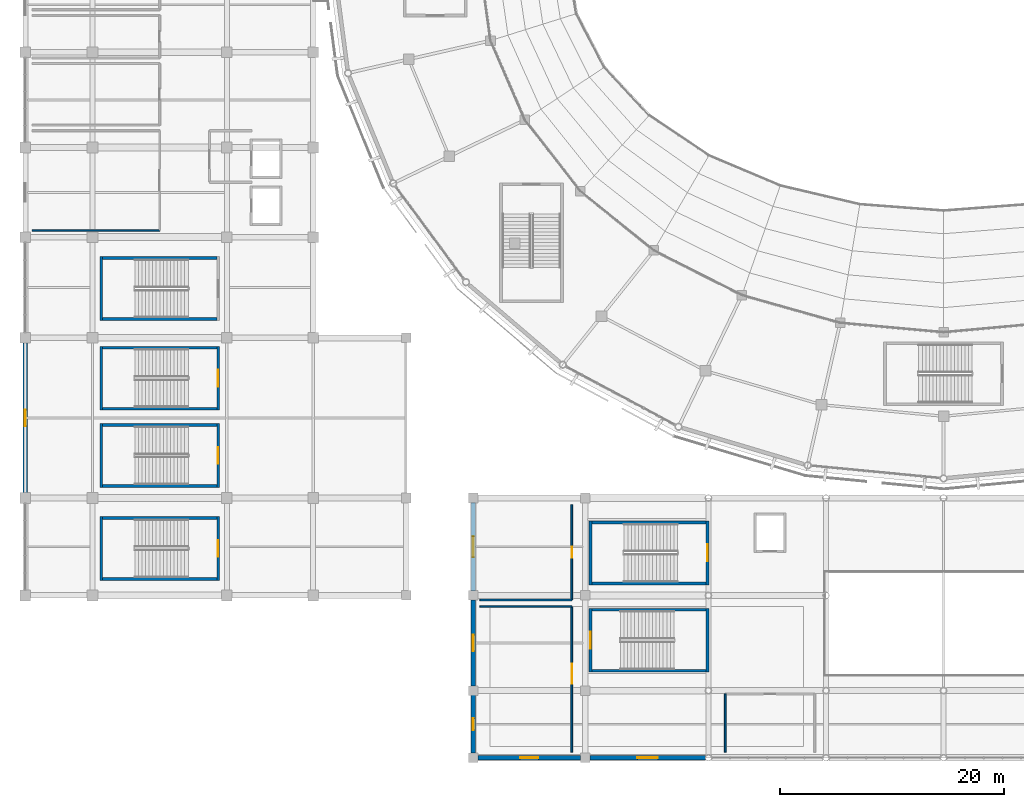
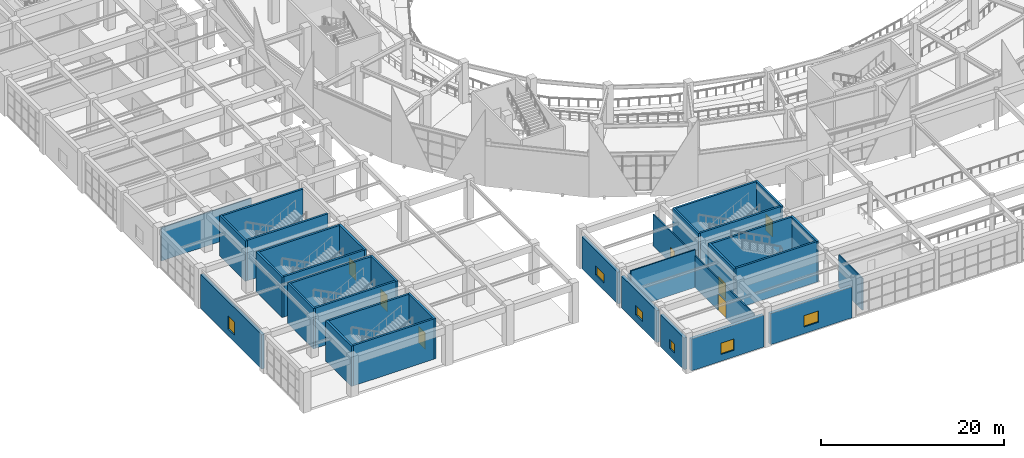
# One storey, part 73 of 120: 35 walls, 7 doors, 6 windows, 13 openings.
"""IFC4 building model written with IfcOpenShell, lengths in metres."""

from ifc_helpers import new_model, si_unit, direction, frame, frame_2d, origin, place, context, subcontext, project, spatial, rectangle, extrude, material, layer, layer_set, type_object, element, fill, save


model = new_model("IFC4")

# Units and contexts
model_context = context("Model", 3, precision=1e-05, world=origin(), true_north=direction((0.0, 1.0)))
body_context = subcontext(model_context, "Body", "Model", "MODEL_VIEW")
ifc_project = project(units=[si_unit("LENGTHUNIT", "METRE"), si_unit("AREAUNIT", "SQUARE_METRE"), si_unit("VOLUMEUNIT", "CUBIC_METRE"), si_unit("PLANEANGLEUNIT", "RADIAN"), si_unit("MASSUNIT", "GRAM", prefix="KILO")], contexts=[model_context])

# Site, building, storey
site_placement = place(None, origin())
site = spatial("IfcSite", under=ifc_project, at=site_placement, CompositionType="ELEMENT")
building_placement = place(site_placement, origin())
building = spatial("IfcBuilding", under=site, at=building_placement, Name="Cuetzalor Civic Arena", CompositionType="ELEMENT")
storey_placement = place(building_placement, frame((0.0, 0.0, 6.0)))
storey = spatial("IfcBuildingStorey", under=building, at=storey_placement, Name="L01", CompositionType="ELEMENT", Elevation=6.0)

# Wall
ifc_material_1 = material(Name="Acoustic steel-stud gypsum partition", Category="steel")
ifc_layer_1 = layer(ifc_material_1, 0.14990234375)
ifc_layer_set_1 = layer_set([ifc_layer_1], Name="Acoustic steel-stud gypsum partition")
wall_type_1 = type_object("IfcWallType", Name="AcousticGypsumPartition_150", PredefinedType="PARTITIONING", material=ifc_layer_set_1)
wall_1_placement = place(storey_placement, frame((-41.39990234375, -58.0, 0.0), z_axis=(0.0, 0.0, 1.0), x_axis=(1.0, 0.0, 0.0)))
element("IfcWall", 1, at=wall_1_placement, inside=storey, type_object=wall_type_1, Name="Interior Partition IWALL:L01:0181", PredefinedType="PARTITIONING", context=body_context, shape_type="SweptSolid", body=[
    extrude(rectangle(XDim=8.199951171875, YDim=0.14990234375, at=frame_2d((4.10009765625, 0.0))), origin(), (0.0, 0.0, 1.0), 5.0400390625),
])

# Wall, opening, door
wall_2_placement = place(storey_placement, frame((-33.199951171875, -58.0, 0.0), z_axis=(0.0, 0.0, 1.0), x_axis=(0.0, -1.0, 0.0)))
wall_2 = element("IfcWall", 2, at=wall_2_placement, inside=storey, type_object=wall_type_1, Name="Interior Partition IWALL:L01:0182", PredefinedType="PARTITIONING", context=body_context, shape_type="SweptSolid", body=[
    extrude(rectangle(XDim=13.0, YDim=0.14990234375, at=frame_2d((6.5, 0.0))), origin(), (0.0, 0.0, 1.0), 4.2451171875),
])
opening_1_placement = place(wall_2_placement, frame((5.10009765625, 0.0, 0.0)))
opening_1 = element("IfcOpeningElement", 3, at=opening_1_placement, cuts=wall_2, Name="Opening ID-06", PredefinedType="OPENING", context=body_context, shape_type="SweptSolid", body=[
    extrude(rectangle(XDim=1.800048828125, YDim=2.199951171875, at=frame_2d((0.89990234375, 1.10009765625))), frame((0.0, 0.0849609375, 0.0), z_axis=(0.0, -1.0, 0.0), x_axis=(1.0, 0.0, 0.0)), (0.0, 0.0, 1.0), 0.169921875),
])
ifc_material_2 = material(Name="Glazed bronze acoustic double door", Category="metal")
door_type_1 = type_object("IfcDoorType", Name="PublicDoubleDoor_1800x2200", OperationType="DOUBLE_DOOR_SINGLE_SWING", PredefinedType="DOOR", material=ifc_material_2)
door_1_placement = place(opening_1_placement, origin())
door_1 = element("IfcDoor", 4, at=door_1_placement, inside=storey, type_object=door_type_1, Name="Door to Civic Gallery West", OperationType="DOUBLE_DOOR_SINGLE_SWING", OverallHeight=2.199951171875, OverallWidth=1.800048828125, PredefinedType="DOOR", context=body_context, shape_type="SweptSolid", body=[
    extrude(rectangle(XDim=1.800048828125, YDim=2.199951171875, at=frame_2d((0.89990234375, 1.10009765625))), frame((0.0, 0.02490234375, 0.0), z_axis=(0.0, -1.0, 0.0), x_axis=(1.0, 0.0, 0.0)), (0.0, 0.0, 1.0), 0.050048828125),
])
fill(opening_1, door_1)

# Wall
wall_3_placement = place(storey_placement, frame((-33.199951171875, -57.39990234375, 0.0), z_axis=(0.0, 0.0, 1.0), x_axis=(-1.0, 0.0, 0.0)))
element("IfcWall", 5, at=wall_3_placement, inside=storey, type_object=wall_type_1, Name="Interior Partition IWALL:L01:0185", PredefinedType="PARTITIONING", context=body_context, shape_type="SweptSolid", body=[
    extrude(rectangle(XDim=8.199951171875, YDim=0.14990234375, at=frame_2d((4.10009765625, 0.0))), origin(), (0.0, 0.0, 1.0), 4.2451171875),
])

# Wall, opening, door
wall_4_placement = place(storey_placement, frame((-33.199951171875, -48.89990234375, 0.0), z_axis=(0.0, 0.0, 1.0), x_axis=(0.0, -1.0, 0.0)))
wall_4 = element("IfcWall", 6, at=wall_4_placement, inside=storey, type_object=wall_type_1, Name="Interior Partition IWALL:L01:0186", PredefinedType="PARTITIONING", context=body_context, shape_type="SweptSolid", body=[
    extrude(rectangle(XDim=8.5, YDim=0.14990234375, at=frame_2d((4.25, 0.0))), origin(), (0.0, 0.0, 1.0), 4.2451171875),
])
opening_2_placement = place(wall_4_placement, frame((3.77490234375, 0.0, 0.0)))
opening_2 = element("IfcOpeningElement", 7, at=opening_2_placement, cuts=wall_4, Name="Opening ID-03", PredefinedType="OPENING", context=body_context, shape_type="SweptSolid", body=[
    extrude(rectangle(XDim=0.949951171875, YDim=2.14990234375, at=frame_2d((0.47509765625, 1.074951171875))), frame((0.0, 0.0849609375, 0.0), z_axis=(0.0, -1.0, 0.0), x_axis=(1.0, 0.0, 0.0)), (0.0, 0.0, 1.0), 0.169921875),
])
ifc_material_3 = material(Name="Painted steel frame and solid timber leaf", Category="steel")
door_type_2 = type_object("IfcDoorType", Name="InteriorSingleDoor_950x2150", OperationType="NOTDEFINED", PredefinedType="DOOR", material=ifc_material_3)
door_2_placement = place(opening_2_placement, origin())
door_2 = element("IfcDoor", 8, at=door_2_placement, inside=storey, type_object=door_type_2, Name="Door to Community Room West L01", OperationType="SINGLE_SWING_RIGHT", OverallHeight=2.14990234375, OverallWidth=0.949951171875, PredefinedType="DOOR", context=body_context, shape_type="SweptSolid", body=[
    extrude(rectangle(XDim=0.949951171875, YDim=2.14990234375, at=frame_2d((0.47509765625, 1.074951171875))), frame((0.0, 0.02490234375, 0.0), z_axis=(0.0, -1.0, 0.0), x_axis=(1.0, 0.0, 0.0)), (0.0, 0.0, 1.0), 0.050048828125),
])
fill(opening_2, door_2)

# Walls
wall_5_placement = place(storey_placement, frame((-19.5, -71.0, 0.0), z_axis=(0.0, 0.0, 1.0), x_axis=(0.0, 1.0, 0.0)))
element("IfcWall", 9, at=wall_5_placement, inside=storey, type_object=wall_type_1, Name="Interior Partition IWALL:L01:0189", PredefinedType="PARTITIONING", context=body_context, shape_type="SweptSolid", body=[
    extrude(rectangle(XDim=5.199951171875, YDim=0.14990234375, at=frame_2d((2.60009765625, 0.0))), origin(), (0.0, 0.0, 1.0), 4.2451171875),
])
wall_6_placement = place(storey_placement, frame((-70.0, -24.39990234375, 0.0), z_axis=(0.0, 0.0, 1.0), x_axis=(-1.0, 0.0, 0.0)))
element("IfcWall", 10, at=wall_6_placement, inside=storey, type_object=wall_type_1, Name="Interior Partition IWALL:L01:0196", PredefinedType="PARTITIONING", context=body_context, shape_type="SweptSolid", body=[
    extrude(rectangle(XDim=11.39990234375, YDim=0.14990234375, at=frame_2d((5.699951171875, 0.0))), origin(), (0.0, 0.0, 1.0), 4.445068359375),
])

# Wall, opening, door
ifc_material_4 = material(Name="Concrete C40/50", Category="concrete")
ifc_layer_2 = layer(ifc_material_4, 0.25)
ifc_layer_set_2 = layer_set([ifc_layer_2], Name="Concrete C40/50")
wall_type_2 = type_object("IfcWallType", Name="ConcreteCoreShearWall_250", PredefinedType="SHEAR", material=ifc_layer_set_2)
wall_7_placement = place(storey_placement, frame((-31.52490234375, -63.85009765625, 0.0), z_axis=(0.0, 0.0, 1.0), x_axis=(0.0, 1.0, 0.0)))
wall_7 = element("IfcWall", 11, at=wall_7_placement, inside=storey, type_object=wall_type_2, Name="Stair Core Shear Wall ST-09-L01-W", PredefinedType="SHEAR", context=body_context, shape_type="SweptSolid", body=[
    extrude(rectangle(XDim=5.7001953125, YDim=0.25, at=frame_2d((2.85009765625, 0.0))), origin(), (0.0, 0.0, 1.0), 5.39990234375),
])
opening_3_placement = place(wall_7_placement, frame((2.10009765625, 0.0, 0.0)))
opening_3 = element("IfcOpeningElement", 12, at=opening_3_placement, cuts=wall_7, Name="Opening FD-03", PredefinedType="OPENING", context=body_context, shape_type="SweptSolid", body=[
    extrude(rectangle(XDim=1.5, YDim=2.199951171875, at=frame_2d((0.75, 1.10009765625))), frame((0.0, 0.135009765625, 0.0), z_axis=(0.0, -1.0, 0.0), x_axis=(1.0, 0.0, 0.0)), (0.0, 0.0, 1.0), 0.27001953125),
])
ifc_material_5 = material(Name="Fire-rated steel stair exit double door", Category="steel")
door_type_3 = type_object("IfcDoorType", Name="StairFireDoubleDoor_1500x2200", OperationType="DOUBLE_DOOR_SINGLE_SWING", PredefinedType="DOOR", material=ifc_material_5)
door_3_placement = place(opening_3_placement, origin())
door_3 = element("IfcDoor", 13, at=door_3_placement, inside=storey, type_object=door_type_3, Name="Fire Stair Door ST-09 L01", OperationType="DOUBLE_DOOR_SINGLE_SWING", OverallHeight=2.199951171875, OverallWidth=1.5, PredefinedType="DOOR", context=body_context, shape_type="SweptSolid", body=[
    extrude(rectangle(XDim=1.5, YDim=2.199951171875, at=frame_2d((0.75, 1.10009765625))), frame((0.0, 0.02490234375, 0.0), z_axis=(0.0, -1.0, 0.0), x_axis=(1.0, 0.0, 0.0)), (0.0, 0.0, 1.0), 0.050048828125),
])
fill(opening_3, door_3)

# Walls
wall_8_placement = place(storey_placement, frame((-31.39990234375, -58.27490234375, 0.0), z_axis=(0.0, 0.0, 1.0), x_axis=(1.0, 0.0, 0.0)))
element("IfcWall", 14, at=wall_8_placement, inside=storey, type_object=wall_type_2, Name="Stair Core Shear Wall ST-09-L01-N", PredefinedType="SHEAR", context=body_context, shape_type="SweptSolid", body=[
    extrude(rectangle(XDim=10.199951171875, YDim=0.25, at=frame_2d((5.10009765625, 0.0))), origin(), (0.0, 0.0, 1.0), 5.39990234375),
])
wall_9_placement = place(storey_placement, frame((-21.074951171875, -58.14990234375, 0.0), z_axis=(0.0, 0.0, 1.0), x_axis=(0.0, -1.0, 0.0)))
element("IfcWall", 15, at=wall_9_placement, inside=storey, type_object=wall_type_2, Name="Stair Core Shear Wall ST-09-L01-E", PredefinedType="SHEAR", context=body_context, shape_type="SweptSolid", body=[
    extrude(rectangle(XDim=5.7001953125, YDim=0.25, at=frame_2d((2.85009765625, 0.0))), origin(), (0.0, 0.0, 1.0), 5.39990234375),
])
wall_10_placement = place(storey_placement, frame((-21.199951171875, -63.72509765625, 0.0), z_axis=(0.0, 0.0, 1.0), x_axis=(-1.0, 0.0, 0.0)))
element("IfcWall", 16, at=wall_10_placement, inside=storey, type_object=wall_type_2, Name="Stair Core Shear Wall ST-09-L01-S", PredefinedType="SHEAR", context=body_context, shape_type="SweptSolid", body=[
    extrude(rectangle(XDim=10.199951171875, YDim=0.25, at=frame_2d((5.10009765625, 0.0))), origin(), (0.0, 0.0, 1.0), 5.39990234375),
])
wall_11_placement = place(storey_placement, frame((-31.52490234375, -56.050048828125, 0.0), z_axis=(0.0, 0.0, 1.0), x_axis=(0.0, 1.0, 0.0)))
element("IfcWall", 17, at=wall_11_placement, inside=storey, type_object=wall_type_2, Name="Stair Core Shear Wall ST-10-L01-W", PredefinedType="SHEAR", context=body_context, shape_type="SweptSolid", body=[
    extrude(rectangle(XDim=5.699951171875, YDim=0.25, at=frame_2d((2.85009765625, 0.0))), origin(), (0.0, 0.0, 1.0), 5.39990234375),
])
wall_12_placement = place(storey_placement, frame((-31.39990234375, -50.47509765625, 0.0), z_axis=(0.0, 0.0, 1.0), x_axis=(1.0, 0.0, 0.0)))
element("IfcWall", 18, at=wall_12_placement, inside=storey, type_object=wall_type_2, Name="Stair Core Shear Wall ST-10-L01-N", PredefinedType="SHEAR", context=body_context, shape_type="SweptSolid", body=[
    extrude(rectangle(XDim=10.199951171875, YDim=0.25, at=frame_2d((5.10009765625, 0.0))), origin(), (0.0, 0.0, 1.0), 5.39990234375),
])

# Wall, opening, door
wall_13_placement = place(storey_placement, frame((-21.074951171875, -50.35009765625, 0.0), z_axis=(0.0, 0.0, 1.0), x_axis=(0.0, -1.0, 0.0)))
wall_13 = element("IfcWall", 19, at=wall_13_placement, inside=storey, type_object=wall_type_2, Name="Stair Core Shear Wall ST-10-L01-E", PredefinedType="SHEAR", context=body_context, shape_type="SweptSolid", body=[
    extrude(rectangle(XDim=5.699951171875, YDim=0.25, at=frame_2d((2.85009765625, 0.0))), origin(), (0.0, 0.0, 1.0), 5.39990234375),
])
opening_4_placement = place(wall_13_placement, frame((2.10009765625, 0.0, 0.0)))
opening_4 = element("IfcOpeningElement", 20, at=opening_4_placement, cuts=wall_13, Name="Opening FD-03", PredefinedType="OPENING", context=body_context, shape_type="SweptSolid", body=[
    extrude(rectangle(XDim=1.5, YDim=2.199951171875, at=frame_2d((0.75, 1.10009765625))), frame((0.0, 0.135009765625, 0.0), z_axis=(0.0, -1.0, 0.0), x_axis=(1.0, 0.0, 0.0)), (0.0, 0.0, 1.0), 0.27001953125),
])
door_4_placement = place(opening_4_placement, origin())
door_4 = element("IfcDoor", 21, at=door_4_placement, inside=storey, type_object=door_type_3, Name="Fire Stair Door ST-10 L01", OperationType="DOUBLE_DOOR_SINGLE_SWING", OverallHeight=2.199951171875, OverallWidth=1.5, PredefinedType="DOOR", context=body_context, shape_type="SweptSolid", body=[
    extrude(rectangle(XDim=1.5, YDim=2.199951171875, at=frame_2d((0.75, 1.10009765625))), frame((0.0, 0.02490234375, 0.0), z_axis=(0.0, -1.0, 0.0), x_axis=(1.0, 0.0, 0.0)), (0.0, 0.0, 1.0), 0.050048828125),
])
fill(opening_4, door_4)

# Walls
wall_14_placement = place(storey_placement, frame((-21.199951171875, -55.925048828125, 0.0), z_axis=(0.0, 0.0, 1.0), x_axis=(-1.0, 0.0, 0.0)))
element("IfcWall", 22, at=wall_14_placement, inside=storey, type_object=wall_type_2, Name="Stair Core Shear Wall ST-10-L01-S", PredefinedType="SHEAR", context=body_context, shape_type="SweptSolid", body=[
    extrude(rectangle(XDim=10.199951171875, YDim=0.25, at=frame_2d((5.10009765625, 0.0))), origin(), (0.0, 0.0, 1.0), 5.39990234375),
])
wall_15_placement = place(storey_placement, frame((-75.22509765625, -55.64990234375, 0.0), z_axis=(0.0, 0.0, 1.0), x_axis=(0.0, 1.0, 0.0)))
element("IfcWall", 23, at=wall_15_placement, inside=storey, type_object=wall_type_2, Name="Stair Core Shear Wall ST-13-L01-W", PredefinedType="SHEAR", context=body_context, shape_type="SweptSolid", body=[
    extrude(rectangle(XDim=5.699951171875, YDim=0.25, at=frame_2d((2.85009765625, 0.0))), origin(), (0.0, 0.0, 1.0), 5.39990234375),
])
wall_16_placement = place(storey_placement, frame((-75.10009765625, -50.074951171875, 0.0), z_axis=(0.0, 0.0, 1.0), x_axis=(1.0, 0.0, 0.0)))
element("IfcWall", 24, at=wall_16_placement, inside=storey, type_object=wall_type_2, Name="Stair Core Shear Wall ST-13-L01-N", PredefinedType="SHEAR", context=body_context, shape_type="SweptSolid", body=[
    extrude(rectangle(XDim=10.2001953125, YDim=0.25, at=frame_2d((5.10009765625, 0.0))), origin(), (0.0, 0.0, 1.0), 5.39990234375),
])

# Wall, opening, door
wall_17_placement = place(storey_placement, frame((-64.77490234375, -49.949951171875, 0.0), z_axis=(0.0, 0.0, 1.0), x_axis=(0.0, -1.0, 0.0)))
wall_17 = element("IfcWall", 25, at=wall_17_placement, inside=storey, type_object=wall_type_2, Name="Stair Core Shear Wall ST-13-L01-E", PredefinedType="SHEAR", context=body_context, shape_type="SweptSolid", body=[
    extrude(rectangle(XDim=5.699951171875, YDim=0.25, at=frame_2d((2.85009765625, 0.0))), origin(), (0.0, 0.0, 1.0), 5.39990234375),
])
opening_5_placement = place(wall_17_placement, frame((2.10009765625, 0.0, 0.0)))
opening_5 = element("IfcOpeningElement", 26, at=opening_5_placement, cuts=wall_17, Name="Opening FD-03", PredefinedType="OPENING", context=body_context, shape_type="SweptSolid", body=[
    extrude(rectangle(XDim=1.5, YDim=2.199951171875, at=frame_2d((0.75, 1.10009765625))), frame((0.0, 0.135009765625, 0.0), z_axis=(0.0, -1.0, 0.0), x_axis=(1.0, 0.0, 0.0)), (0.0, 0.0, 1.0), 0.27001953125),
])
door_5_placement = place(opening_5_placement, origin())
door_5 = element("IfcDoor", 27, at=door_5_placement, inside=storey, type_object=door_type_3, Name="Fire Stair Door ST-13 L01", OperationType="DOUBLE_DOOR_SINGLE_SWING", OverallHeight=2.199951171875, OverallWidth=1.5, PredefinedType="DOOR", context=body_context, shape_type="SweptSolid", body=[
    extrude(rectangle(XDim=1.5, YDim=2.199951171875, at=frame_2d((0.75, 1.10009765625))), frame((0.0, 0.02490234375, 0.0), z_axis=(0.0, -1.0, 0.0), x_axis=(1.0, 0.0, 0.0)), (0.0, 0.0, 1.0), 0.050048828125),
])
fill(opening_5, door_5)

# Walls
wall_18_placement = place(storey_placement, frame((-64.89990234375, -55.52490234375, 0.0), z_axis=(0.0, 0.0, 1.0), x_axis=(-1.0, 0.0, 0.0)))
element("IfcWall", 28, at=wall_18_placement, inside=storey, type_object=wall_type_2, Name="Stair Core Shear Wall ST-13-L01-S", PredefinedType="SHEAR", context=body_context, shape_type="SweptSolid", body=[
    extrude(rectangle(XDim=10.2001953125, YDim=0.25, at=frame_2d((5.10009765625, 0.0))), origin(), (0.0, 0.0, 1.0), 5.39990234375),
])
wall_19_placement = place(storey_placement, frame((-75.22509765625, -47.35009765625, 0.0), z_axis=(0.0, 0.0, 1.0), x_axis=(0.0, 1.0, 0.0)))
element("IfcWall", 29, at=wall_19_placement, inside=storey, type_object=wall_type_2, Name="Stair Core Shear Wall ST-14-L01-W", PredefinedType="SHEAR", context=body_context, shape_type="SweptSolid", body=[
    extrude(rectangle(XDim=5.7001953125, YDim=0.25, at=frame_2d((2.85009765625, 0.0))), origin(), (0.0, 0.0, 1.0), 5.39990234375),
])
wall_20_placement = place(storey_placement, frame((-75.10009765625, -41.77490234375, 0.0), z_axis=(0.0, 0.0, 1.0), x_axis=(1.0, 0.0, 0.0)))
element("IfcWall", 30, at=wall_20_placement, inside=storey, type_object=wall_type_2, Name="Stair Core Shear Wall ST-14-L01-N", PredefinedType="SHEAR", context=body_context, shape_type="SweptSolid", body=[
    extrude(rectangle(XDim=10.2001953125, YDim=0.25, at=frame_2d((5.10009765625, 0.0))), origin(), (0.0, 0.0, 1.0), 5.39990234375),
])

# Wall, opening, door
wall_21_placement = place(storey_placement, frame((-64.77490234375, -41.64990234375, 0.0), z_axis=(0.0, 0.0, 1.0), x_axis=(0.0, -1.0, 0.0)))
wall_21 = element("IfcWall", 31, at=wall_21_placement, inside=storey, type_object=wall_type_2, Name="Stair Core Shear Wall ST-14-L01-E", PredefinedType="SHEAR", context=body_context, shape_type="SweptSolid", body=[
    extrude(rectangle(XDim=5.7001953125, YDim=0.25, at=frame_2d((2.85009765625, 0.0))), origin(), (0.0, 0.0, 1.0), 5.39990234375),
])
opening_6_placement = place(wall_21_placement, frame((2.10009765625, 0.0, 0.0)))
opening_6 = element("IfcOpeningElement", 32, at=opening_6_placement, cuts=wall_21, Name="Opening FD-03", PredefinedType="OPENING", context=body_context, shape_type="SweptSolid", body=[
    extrude(rectangle(XDim=1.5, YDim=2.199951171875, at=frame_2d((0.75, 1.10009765625))), frame((0.0, 0.135009765625, 0.0), z_axis=(0.0, -1.0, 0.0), x_axis=(1.0, 0.0, 0.0)), (0.0, 0.0, 1.0), 0.27001953125),
])
door_6_placement = place(opening_6_placement, origin())
door_6 = element("IfcDoor", 33, at=door_6_placement, inside=storey, type_object=door_type_3, Name="Fire Stair Door ST-14 L01", OperationType="DOUBLE_DOOR_SINGLE_SWING", OverallHeight=2.199951171875, OverallWidth=1.5, PredefinedType="DOOR", context=body_context, shape_type="SweptSolid", body=[
    extrude(rectangle(XDim=1.5, YDim=2.199951171875, at=frame_2d((0.75, 1.10009765625))), frame((0.0, 0.02490234375, 0.0), z_axis=(0.0, -1.0, 0.0), x_axis=(1.0, 0.0, 0.0)), (0.0, 0.0, 1.0), 0.050048828125),
])
fill(opening_6, door_6)

# Walls
wall_22_placement = place(storey_placement, frame((-64.89990234375, -47.22509765625, 0.0), z_axis=(0.0, 0.0, 1.0), x_axis=(-1.0, 0.0, 0.0)))
element("IfcWall", 34, at=wall_22_placement, inside=storey, type_object=wall_type_2, Name="Stair Core Shear Wall ST-14-L01-S", PredefinedType="SHEAR", context=body_context, shape_type="SweptSolid", body=[
    extrude(rectangle(XDim=10.2001953125, YDim=0.25, at=frame_2d((5.10009765625, 0.0))), origin(), (0.0, 0.0, 1.0), 5.39990234375),
])
wall_23_placement = place(storey_placement, frame((-75.22509765625, -40.449951171875, 0.0), z_axis=(0.0, 0.0, 1.0), x_axis=(0.0, 1.0, 0.0)))
element("IfcWall", 35, at=wall_23_placement, inside=storey, type_object=wall_type_2, Name="Stair Core Shear Wall ST-15-L01-W", PredefinedType="SHEAR", context=body_context, shape_type="SweptSolid", body=[
    extrude(rectangle(XDim=5.699951171875, YDim=0.25, at=frame_2d((2.85009765625, 0.0))), origin(), (0.0, 0.0, 1.0), 5.39990234375),
])
wall_24_placement = place(storey_placement, frame((-75.10009765625, -34.875, 0.0), z_axis=(0.0, 0.0, 1.0), x_axis=(1.0, 0.0, 0.0)))
element("IfcWall", 36, at=wall_24_placement, inside=storey, type_object=wall_type_2, Name="Stair Core Shear Wall ST-15-L01-N", PredefinedType="SHEAR", context=body_context, shape_type="SweptSolid", body=[
    extrude(rectangle(XDim=10.2001953125, YDim=0.25, at=frame_2d((5.10009765625, 0.0))), origin(), (0.0, 0.0, 1.0), 5.39990234375),
])

# Wall, opening, door
wall_25_placement = place(storey_placement, frame((-64.77490234375, -34.75, 0.0), z_axis=(0.0, 0.0, 1.0), x_axis=(0.0, -1.0, 0.0)))
wall_25 = element("IfcWall", 37, at=wall_25_placement, inside=storey, type_object=wall_type_2, Name="Stair Core Shear Wall ST-15-L01-E", PredefinedType="SHEAR", context=body_context, shape_type="SweptSolid", body=[
    extrude(rectangle(XDim=5.699951171875, YDim=0.25, at=frame_2d((2.85009765625, 0.0))), origin(), (0.0, 0.0, 1.0), 5.39990234375),
])
opening_7_placement = place(wall_25_placement, frame((2.10009765625, 0.0, 0.0)))
opening_7 = element("IfcOpeningElement", 38, at=opening_7_placement, cuts=wall_25, Name="Opening FD-03", PredefinedType="OPENING", context=body_context, shape_type="SweptSolid", body=[
    extrude(rectangle(XDim=1.5, YDim=2.199951171875, at=frame_2d((0.75, 1.10009765625))), frame((0.0, 0.135009765625, 0.0), z_axis=(0.0, -1.0, 0.0), x_axis=(1.0, 0.0, 0.0)), (0.0, 0.0, 1.0), 0.27001953125),
])
door_7_placement = place(opening_7_placement, origin())
door_7 = element("IfcDoor", 39, at=door_7_placement, inside=storey, type_object=door_type_3, Name="Fire Stair Door ST-15 L01", OperationType="DOUBLE_DOOR_SINGLE_SWING", OverallHeight=2.199951171875, OverallWidth=1.5, PredefinedType="DOOR", context=body_context, shape_type="SweptSolid", body=[
    extrude(rectangle(XDim=1.5, YDim=2.199951171875, at=frame_2d((0.75, 1.10009765625))), frame((0.0, 0.02490234375, 0.0), z_axis=(0.0, -1.0, 0.0), x_axis=(1.0, 0.0, 0.0)), (0.0, 0.0, 1.0), 0.050048828125),
])
fill(opening_7, door_7)

# Walls
wall_26_placement = place(storey_placement, frame((-64.89990234375, -40.324951171875, 0.0), z_axis=(0.0, 0.0, 1.0), x_axis=(-1.0, 0.0, 0.0)))
element("IfcWall", 40, at=wall_26_placement, inside=storey, type_object=wall_type_2, Name="Stair Core Shear Wall ST-15-L01-S", PredefinedType="SHEAR", context=body_context, shape_type="SweptSolid", body=[
    extrude(rectangle(XDim=10.2001953125, YDim=0.25, at=frame_2d((5.10009765625, 0.0))), origin(), (0.0, 0.0, 1.0), 5.39990234375),
])
wall_27_placement = place(storey_placement, frame((-75.22509765625, -32.449951171875, 0.0), z_axis=(0.0, 0.0, 1.0), x_axis=(0.0, 1.0, 0.0)))
element("IfcWall", 41, at=wall_27_placement, inside=storey, type_object=wall_type_2, Name="Stair Core Shear Wall ST-16-L01-W", PredefinedType="SHEAR", context=body_context, shape_type="SweptSolid", body=[
    extrude(rectangle(XDim=5.699951171875, YDim=0.25, at=frame_2d((2.85009765625, 0.0))), origin(), (0.0, 0.0, 1.0), 5.39990234375),
])
for number, where, z_axis, x_axis, name in (
    (42, (-75.10009765625, -26.875, 0.0), (0.0, 0.0, 1.0), (1.0, 0.0, 0.0), "Stair Core Shear Wall ST-16-L01-N"),
    (43, (-64.89990234375, -32.324951171875, 0.0), (0.0, 0.0, 1.0), (-1.0, 0.0, 0.0), "Stair Core Shear Wall ST-16-L01-S"),
):
    element("IfcWall", number, at=place(storey_placement, frame(where, z_axis=z_axis, x_axis=x_axis)), inside=storey, type_object=wall_type_2, Name=name, PredefinedType="SHEAR", context=body_context, shape_type="SweptSolid", body=[
        extrude(rectangle(XDim=10.2001953125, YDim=0.25, at=frame_2d((5.10009765625, 0.0))), origin(), (0.0, 0.0, 1.0), 5.39990234375),
    ])

# Wall, opening, window
ifc_material_6 = material(Name="Polychrome Talavera ceramic on Concrete C35/45", Category="concrete")
ifc_layer_3 = layer(ifc_material_6, 0.3798828125)
ifc_layer_set_3 = layer_set([ifc_layer_3], Name="Polychrome Talavera ceramic on Concrete C35/45")
wall_type_3 = type_object("IfcWallType", Name="TalaveraSpandrelWall_380", PredefinedType="SOLIDWALL", material=ifc_layer_set_3)
wall_28_placement = place(storey_placement, frame((-42.0, -71.093017578125, 0.0), z_axis=(0.0, 0.0, 1.0), x_axis=(0.0, 1.0, 0.0)))
wall_28 = element("IfcWall", 44, at=wall_28_placement, inside=storey, type_object=wall_type_3, Name="South Foyer West End Wall L01-099", PredefinedType="SOLIDWALL", context=body_context, shape_type="SweptSolid", body=[
    extrude(rectangle(XDim=5.18603515625, YDim=0.3798828125, at=frame_2d((2.593017578125, 0.0))), origin(), (0.0, 0.0, 1.0), 4.260009765625),
])
opening_8_placement = place(wall_28_placement, frame((2.068115234375, 0.0, 0.949951171875)))
opening_8 = element("IfcOpeningElement", 45, at=opening_8_placement, cuts=wall_28, Name="Opening WN-01", PredefinedType="OPENING", context=body_context, shape_type="SweptSolid", body=[
    extrude(rectangle(XDim=1.050048828125, YDim=1.25, at=frame_2d((0.52490234375, 0.625))), frame((0.0, 0.199951171875, 0.0), z_axis=(0.0, -1.0, 0.0), x_axis=(1.0, 0.0, 0.0)), (0.0, 0.0, 1.0), 0.39990234375),
])
ifc_material_7 = material(Name="Anodised bronze aluminium and low-E solar glass", Category="aluminium")
window_type_1 = type_object("IfcWindowType", Name="BronzeThermalWindow_1050x1250", PartitioningType="SINGLE_PANEL", PredefinedType="WINDOW", material=ifc_material_7)
window_1_placement = place(opening_8_placement, origin())
window_1 = element("IfcWindow", 46, at=window_1_placement, inside=storey, type_object=window_type_1, Name="Foyer Window L01-0001", OverallHeight=1.25, OverallWidth=1.050048828125, PartitioningType="SINGLE_PANEL", PredefinedType="WINDOW", context=body_context, shape_type="SweptSolid", body=[
    extrude(rectangle(XDim=1.050048828125, YDim=1.25, at=frame_2d((0.52490234375, 0.625))), frame((0.0, 0.030029296875, 0.0), z_axis=(0.0, -1.0, 0.0), x_axis=(1.0, 0.0, 0.0)), (0.0, 0.0, 1.0), 0.06005859375),
])
fill(opening_8, window_1)

wall_29_placement = place(storey_placement, frame((-42.0, -65.093017578125, 0.0), z_axis=(0.0, 0.0, 1.0), x_axis=(0.0, 1.0, 0.0)))
wall_29 = element("IfcWall", 47, at=wall_29_placement, inside=storey, type_object=wall_type_3, Name="South Foyer West End Wall L01-101", PredefinedType="SOLIDWALL", context=body_context, shape_type="SweptSolid", body=[
    extrude(rectangle(XDim=7.68603515625, YDim=0.3798828125, at=frame_2d((3.843017578125, 0.0))), origin(), (0.0, 0.0, 1.0), 4.260009765625),
])
opening_9_placement = place(wall_29_placement, frame((3.117919921875, 0.0, 0.949951171875)))
opening_9 = element("IfcOpeningElement", 48, at=opening_9_placement, cuts=wall_29, Name="Opening WN-03", PredefinedType="OPENING", context=body_context, shape_type="SweptSolid", body=[
    extrude(rectangle(XDim=1.449951171875, YDim=1.25, at=frame_2d((0.72509765625, 0.625))), frame((0.0, 0.199951171875, 0.0), z_axis=(0.0, -1.0, 0.0), x_axis=(1.0, 0.0, 0.0)), (0.0, 0.0, 1.0), 0.39990234375),
])
ifc_material_8 = material(Name="Anodised bronze aluminium and low-E solar glass", Category="aluminium")
window_type_2 = type_object("IfcWindowType", Name="BronzeThermalWindow_1450x1250", PartitioningType="SINGLE_PANEL", PredefinedType="WINDOW", material=ifc_material_8)
window_2_placement = place(opening_9_placement, origin())
window_2 = element("IfcWindow", 49, at=window_2_placement, inside=storey, type_object=window_type_2, Name="Foyer Window L01-0003", OverallHeight=1.25, OverallWidth=1.449951171875, PartitioningType="SINGLE_PANEL", PredefinedType="WINDOW", context=body_context, shape_type="SweptSolid", body=[
    extrude(rectangle(XDim=1.449951171875, YDim=1.25, at=frame_2d((0.72509765625, 0.625))), frame((0.0, 0.030029296875, 0.0), z_axis=(0.0, -1.0, 0.0), x_axis=(1.0, 0.0, 0.0)), (0.0, 0.0, 1.0), 0.06005859375),
])
fill(opening_9, window_2)

wall_30_placement = place(storey_placement, frame((-42.0, -56.593017578125, 0.0), z_axis=(0.0, 0.0, 1.0), x_axis=(0.0, 1.0, 0.0)))
wall_30 = element("IfcWall", 50, at=wall_30_placement, inside=storey, type_object=wall_type_3, Name="South Foyer West End Wall L01-103", PredefinedType="SOLIDWALL", context=body_context, shape_type="SweptSolid", body=[
    extrude(rectangle(XDim=7.885986328125, YDim=0.3798828125, at=frame_2d((3.94287109375, 0.0))), origin(), (0.0, 0.0, 1.0), 4.260009765625),
])
opening_10_placement = place(wall_30_placement, frame((3.01806640625, 0.0, 0.949951171875)))
opening_10 = element("IfcOpeningElement", 51, at=opening_10_placement, cuts=wall_30, Name="Opening WN-05", PredefinedType="OPENING", context=body_context, shape_type="SweptSolid", body=[
    extrude(rectangle(XDim=1.85009765625, YDim=1.25, at=frame_2d((0.925048828125, 0.625))), frame((0.0, 0.199951171875, 0.0), z_axis=(0.0, -1.0, 0.0), x_axis=(1.0, 0.0, 0.0)), (0.0, 0.0, 1.0), 0.39990234375),
])
ifc_material_9 = material(Name="Anodised bronze aluminium and low-E solar glass", Category="aluminium")
window_type_3 = type_object("IfcWindowType", Name="BronzeThermalWindow_1850x1250", PartitioningType="SINGLE_PANEL", PredefinedType="WINDOW", material=ifc_material_9)
window_3_placement = place(opening_10_placement, origin())
window_3 = element("IfcWindow", 52, at=window_3_placement, inside=storey, type_object=window_type_3, Name="Foyer Window L01-0005", OverallHeight=1.25, OverallWidth=1.85009765625, PartitioningType="SINGLE_PANEL", PredefinedType="WINDOW", context=body_context, shape_type="SweptSolid", body=[
    extrude(rectangle(XDim=1.85009765625, YDim=1.25, at=frame_2d((0.925048828125, 0.625))), frame((0.0, 0.030029296875, 0.0), z_axis=(0.0, -1.0, 0.0), x_axis=(1.0, 0.0, 0.0)), (0.0, 0.0, 1.0), 0.06005859375),
])
fill(opening_10, window_3)

wall_31_placement = place(storey_placement, frame((-32.406982421875, -71.5, 0.0), z_axis=(0.0, 0.0, 1.0), x_axis=(-1.0, 0.0, 0.0)))
wall_31 = element("IfcWall", 53, at=wall_31_placement, inside=storey, type_object=wall_type_3, Name="South Talavera Facade Wall L01-111", PredefinedType="SOLIDWALL", context=body_context, shape_type="SweptSolid", body=[
    extrude(rectangle(XDim=9.18603515625, YDim=0.3798828125, at=frame_2d((4.593017578125, 0.0))), origin(), (0.0, 0.0, 1.0), 4.260009765625),
])
opening_11_placement = place(wall_31_placement, frame((3.76806640625, 0.0, 0.89990234375)))
opening_11 = element("IfcOpeningElement", 54, at=opening_11_placement, cuts=wall_31, Name="Opening WN-13", PredefinedType="OPENING", context=body_context, shape_type="SweptSolid", body=[
    extrude(rectangle(XDim=1.64990234375, YDim=1.5, at=frame_2d((0.824951171875, 0.75))), frame((0.0, 0.199951171875, 0.0), z_axis=(0.0, -1.0, 0.0), x_axis=(1.0, 0.0, 0.0)), (0.0, 0.0, 1.0), 0.39990234375),
])
ifc_material_10 = material(Name="Anodised bronze aluminium and low-E solar glass", Category="aluminium")
window_type_4 = type_object("IfcWindowType", Name="BronzeThermalWindow_1650x1500", PartitioningType="SINGLE_PANEL", PredefinedType="WINDOW", material=ifc_material_10)
window_4_placement = place(opening_11_placement, origin())
window_4 = element("IfcWindow", 55, at=window_4_placement, inside=storey, type_object=window_type_4, Name="Talavera Gallery Window L01-0013", OverallHeight=1.5, OverallWidth=1.64990234375, PartitioningType="SINGLE_PANEL", PredefinedType="WINDOW", context=body_context, shape_type="SweptSolid", body=[
    extrude(rectangle(XDim=1.64990234375, YDim=1.5, at=frame_2d((0.824951171875, 0.75))), frame((0.0, 0.030029296875, 0.0), z_axis=(0.0, -1.0, 0.0), x_axis=(1.0, 0.0, 0.0)), (0.0, 0.0, 1.0), 0.06005859375),
])
fill(opening_11, window_4)

wall_32_placement = place(storey_placement, frame((-21.261474609375, -71.5, 0.0), z_axis=(0.0, 0.0, 1.0), x_axis=(-1.0, 0.0, 0.0)))
wall_32 = element("IfcWall", 56, at=wall_32_placement, inside=storey, type_object=wall_type_3, Name="South Talavera Facade Wall L01-112", PredefinedType="SOLIDWALL", context=body_context, shape_type="SweptSolid", body=[
    extrude(rectangle(XDim=10.33154296875, YDim=0.3798828125, at=frame_2d((5.165771484375, 0.0))), origin(), (0.0, 0.0, 1.0), 4.159912109375),
])
opening_12_placement = place(wall_32_placement, frame((4.24072265625, 0.0, 0.89990234375)))
opening_12 = element("IfcOpeningElement", 57, at=opening_12_placement, cuts=wall_32, Name="Opening WN-14", PredefinedType="OPENING", context=body_context, shape_type="SweptSolid", body=[
    extrude(rectangle(XDim=1.85009765625, YDim=1.5, at=frame_2d((0.925048828125, 0.75))), frame((0.0, 0.199951171875, 0.0), z_axis=(0.0, -1.0, 0.0), x_axis=(1.0, 0.0, 0.0)), (0.0, 0.0, 1.0), 0.39990234375),
])
ifc_material_11 = material(Name="Anodised bronze aluminium and low-E solar glass", Category="aluminium")
window_type_5 = type_object("IfcWindowType", Name="BronzeThermalWindow_1850x1500", PartitioningType="SINGLE_PANEL", PredefinedType="WINDOW", material=ifc_material_11)
window_5_placement = place(opening_12_placement, origin())
window_5 = element("IfcWindow", 58, at=window_5_placement, inside=storey, type_object=window_type_5, Name="Talavera Gallery Window L01-0014", OverallHeight=1.5, OverallWidth=1.85009765625, PartitioningType="SINGLE_PANEL", PredefinedType="WINDOW", context=body_context, shape_type="SweptSolid", body=[
    extrude(rectangle(XDim=1.85009765625, YDim=1.5, at=frame_2d((0.925048828125, 0.75))), frame((0.0, 0.030029296875, 0.0), z_axis=(0.0, -1.0, 0.0), x_axis=(1.0, 0.0, 0.0)), (0.0, 0.0, 1.0), 0.06005859375),
])
fill(opening_12, window_5)

wall_33_placement = place(storey_placement, frame((-82.0, -47.843017578125, 0.0), z_axis=(0.0, 0.0, 1.0), x_axis=(0.0, 1.0, 0.0)))
wall_33 = element("IfcWall", 59, at=wall_33_placement, inside=storey, type_object=wall_type_3, Name="V4W Outer Talavera Wall L01-126", PredefinedType="SOLIDWALL", context=body_context, shape_type="SweptSolid", body=[
    extrude(rectangle(XDim=13.385986328125, YDim=0.3798828125, at=frame_2d((6.69287109375, 0.0))), origin(), (0.0, 0.0, 1.0), 4.576904296875),
])
opening_13_placement = place(wall_33_placement, frame((5.968017578125, 0.0, 0.89990234375)))
opening_13 = element("IfcOpeningElement", 60, at=opening_13_placement, cuts=wall_33, Name="Opening WN-21", PredefinedType="OPENING", context=body_context, shape_type="SweptSolid", body=[
    extrude(rectangle(XDim=1.449951171875, YDim=1.75, at=frame_2d((0.72509765625, 0.875))), frame((0.0, 0.199951171875, 0.0), z_axis=(0.0, -1.0, 0.0), x_axis=(1.0, 0.0, 0.0)), (0.0, 0.0, 1.0), 0.39990234375),
])
ifc_material_12 = material(Name="Anodised bronze aluminium and low-E solar glass", Category="aluminium")
window_type_6 = type_object("IfcWindowType", Name="BronzeThermalWindow_1450x1750", PartitioningType="SINGLE_PANEL", PredefinedType="WINDOW", material=ifc_material_12)
window_6_placement = place(opening_13_placement, origin())
window_6 = element("IfcWindow", 61, at=window_6_placement, inside=storey, type_object=window_type_6, Name="V4W Facade Window L01-0021", OverallHeight=1.75, OverallWidth=1.449951171875, PartitioningType="SINGLE_PANEL", PredefinedType="WINDOW", context=body_context, shape_type="SweptSolid", body=[
    extrude(rectangle(XDim=1.449951171875, YDim=1.75, at=frame_2d((0.72509765625, 0.875))), frame((0.0, 0.030029296875, 0.0), z_axis=(0.0, -1.0, 0.0), x_axis=(1.0, 0.0, 0.0)), (0.0, 0.0, 1.0), 0.06005859375),
])
fill(opening_13, window_6)

save(model, "model.ifc")
